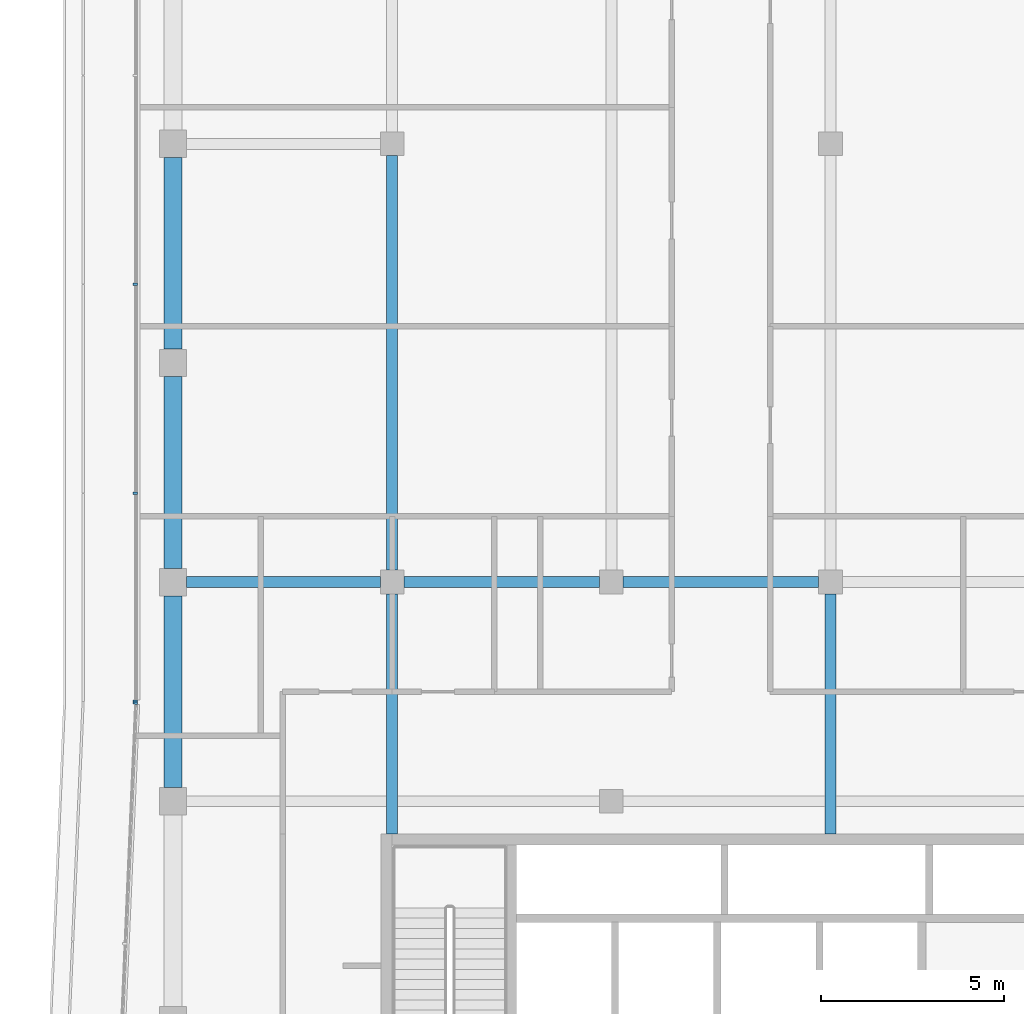
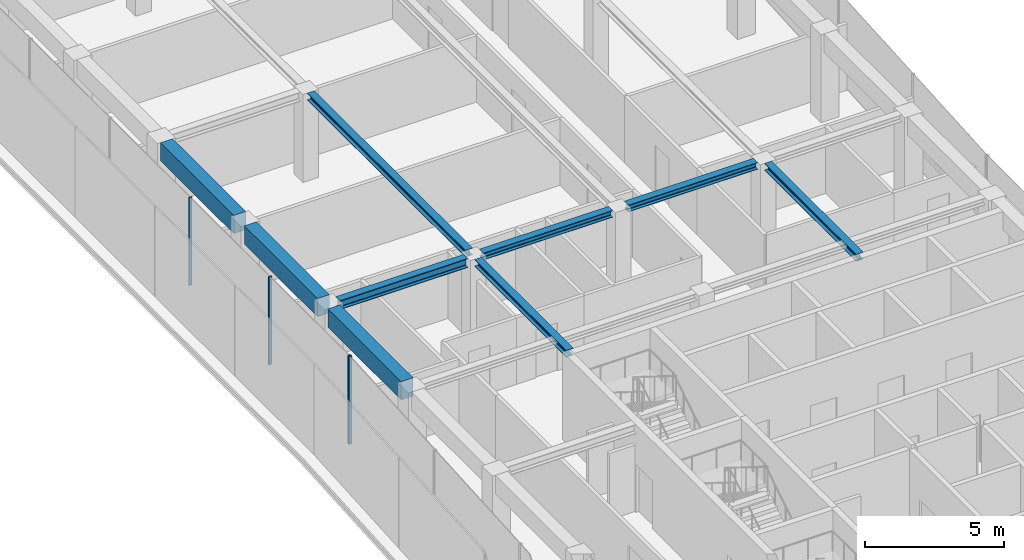
# One storey, part 6 of 19: 9 beams, 4 members, 2 elements without a shape of their own.
"""IFC4 building model written with IfcOpenShell, lengths in metres."""

from ifc_helpers import new_model, si_unit, direction, frame, origin, origin_2d, place, context, subcontext, project, spatial, rectangle, i_section, extrude, material, layer, layer_set, material_profile, profile_set, type_object, element, aggregate, save


model = new_model("IFC4")

# Units and contexts
model_context = context("Model", 3, precision=1e-05, world=origin(), true_north=direction((0.0, 1.0)))
body_context = subcontext(model_context, "Body", "Model", "MODEL_VIEW")
ifc_project = project(units=[si_unit("LENGTHUNIT", "METRE"), si_unit("AREAUNIT", "SQUARE_METRE"), si_unit("VOLUMEUNIT", "CUBIC_METRE"), si_unit("PLANEANGLEUNIT", "RADIAN"), si_unit("MASSUNIT", "GRAM", prefix="KILO")], contexts=[model_context])

# Site, building, storey
site_placement = place(None, origin())
site = spatial("IfcSite", under=ifc_project, at=site_placement, CompositionType="ELEMENT")
building_placement = place(site_placement, origin())
building = spatial("IfcBuilding", under=site, at=building_placement, Name="Welwitschia Terrace Campus", CompositionType="ELEMENT")
storey_placement = place(building_placement, frame((0.0, 0.0, 276.800048828125)))
storey = spatial("IfcBuildingStorey", under=building, at=storey_placement, Name="L61", CompositionType="ELEMENT", Elevation=276.800048828125)

# Beams
ifc_material_1 = material(Name="Steel S355", Category="steel")
ifc_material_profile_1 = material_profile(ifc_material_1, i_section(OverallWidth=0.300048828125, OverallDepth=0.300048828125, WebThickness=0.010986328125, FlangeThickness=0.01904296875, FilletRadius=0.027099609375, at=origin_2d()))
ifc_profile_set_1 = profile_set([ifc_material_profile_1], Name="Steel S355")
beam_type_1 = type_object("IfcBeamType", Name="Interior girder HE 300 B", PredefinedType="BEAM", material=ifc_profile_set_1)
for number, where, z_axis, x_axis, name in (
    (1, (6.325439453125, 32.0, 3.699951171875), (1.0, 0.0, 0.0), (0.0, 1.0, 0.0), "Girder GB6"),
    (2, (12.325439453125, 32.0, 3.699951171875), (1.0, 0.0, 0.0), (0.0, 1.0, 0.0), "Girder GB6"),
):
    element("IfcBeam", number, at=place(storey_placement, frame(where, z_axis=z_axis, x_axis=x_axis)), inside=storey, type_object=beam_type_1, Name=name, PredefinedType="BEAM", context=body_context, shape_type="SweptSolid", body=[
        extrude(i_section(OverallWidth=0.300048828125, OverallDepth=0.300048828125, WebThickness=0.010986328125, FlangeThickness=0.01904296875, FilletRadius=0.027099609375, at=origin_2d()), origin(), (0.0, 0.0, 1.0), 5.34912109375),
    ])
beam_1_placement = place(storey_placement, frame((6.0, 25.10107421875, 3.699951171875), z_axis=(0.0, 1.0, 0.0), x_axis=(-1.0, 0.0, 0.0)))
element("IfcBeam", 3, at=beam_1_placement, inside=storey, type_object=beam_type_1, Name="Girder GB6", PredefinedType="BEAM", context=body_context, shape_type="SweptSolid", body=[
    extrude(i_section(OverallWidth=0.300048828125, OverallDepth=0.300048828125, WebThickness=0.010986328125, FlangeThickness=0.01904296875, FilletRadius=0.027099609375, at=origin_2d()), origin(), (0.0, 0.0, 1.0), 6.573486328125),
])
beam_2_placement = place(storey_placement, frame((6.0, 32.325439453125, 3.699951171875), z_axis=(0.0, 1.0, 0.0), x_axis=(-1.0, 0.0, 0.0)))
element("IfcBeam", 4, at=beam_2_placement, inside=storey, type_object=beam_type_1, Name="Girder GB6", PredefinedType="BEAM", context=body_context, shape_type="SweptSolid", body=[
    extrude(i_section(OverallWidth=0.300048828125, OverallDepth=0.300048828125, WebThickness=0.010986328125, FlangeThickness=0.01904296875, FilletRadius=0.027099609375, at=origin_2d()), origin(), (0.0, 0.0, 1.0), 11.34912109375),
])
beam_3_placement = place(storey_placement, frame((18.0, 25.10107421875, 3.699951171875), z_axis=(0.0, 1.0, 0.0), x_axis=(-1.0, 0.0, 0.0)))
element("IfcBeam", 5, at=beam_3_placement, inside=storey, type_object=beam_type_1, Name="Girder GB6", PredefinedType="BEAM", context=body_context, shape_type="SweptSolid", body=[
    extrude(i_section(OverallWidth=0.300048828125, OverallDepth=0.300048828125, WebThickness=0.010986328125, FlangeThickness=0.01904296875, FilletRadius=0.027099609375, at=origin_2d()), origin(), (0.0, 0.0, 1.0), 6.573486328125),
])

# Curtain wall, member
ifc_material_2 = material(Name="Bronze anodised aluminium", Category="aluminium")
ifc_layer = layer(ifc_material_2, 0.1201171875)
ifc_layer_set = layer_set([ifc_layer], Name="Bronze anodised aluminium")
curtain_wall_type = type_object("IfcCurtainWallType", Name="Curtain wall CW2 tower 6000", PredefinedType="NOTDEFINED", material=ifc_layer_set)
curtain_wall_1_placement = place(storey_placement, origin())
curtain_wall_1 = element("IfcCurtainWall", 6, at=curtain_wall_1_placement, inside=storey, type_object=curtain_wall_type, Name="CW L61.0.0", PredefinedType="NOTDEFINED")
ifc_material_3 = material(Name="Bronze anodised aluminium", Category="aluminium")
ifc_material_profile_2 = material_profile(ifc_material_3, rectangle(XDim=0.1201171875, YDim=0.06005859375, at=origin_2d()))
ifc_profile_set_2 = profile_set([ifc_material_profile_2], Name="Bronze anodised aluminium")
member_type = type_object("IfcMemberType", Name="Mullion 60x120", PredefinedType="MULLION", material=ifc_profile_set_2)
member_1_placement = place(storey_placement, frame((-1.03125, 28.685546875, 0.0), z_axis=(0.0, 0.0, 1.0), x_axis=(0.999048221582, -0.043619387365, 0.0)))
member_1 = element("IfcMember", 7, at=member_1_placement, type_object=member_type, Name="Mullion L61.0.0.0", PredefinedType="MULLION", context=body_context, shape_type="SweptSolid", body=[
    extrude(rectangle(XDim=0.1201171875, YDim=0.06005859375, at=origin_2d()), origin(), (0.0, 0.0, 1.0), 3.849853515625),
])
aggregate(curtain_wall_1, [member_1])

# Curtain wall, members
curtain_wall_2_placement = place(storey_placement, origin())
curtain_wall_2 = element("IfcCurtainWall", 8, at=curtain_wall_2_placement, inside=storey, type_object=curtain_wall_type, Name="CW L61.10.0", PredefinedType="NOTDEFINED")
member_2_placement = place(storey_placement, frame((-1.030029296875, 40.153564453125, 0.0), z_axis=(0.0, 0.0, 1.0), x_axis=(1.0, 0.0, 0.0)))
member_2 = element("IfcMember", 9, at=member_2_placement, type_object=member_type, Name="Mullion L61.10.0.4", PredefinedType="MULLION", context=body_context, shape_type="SweptSolid", body=[
    extrude(rectangle(XDim=0.1201171875, YDim=0.06005859375, at=origin_2d()), origin(), (0.0, 0.0, 1.0), 3.849853515625),
])
member_3_placement = place(storey_placement, frame((-1.030029296875, 34.4345703125, 0.0), z_axis=(0.0, 0.0, 1.0), x_axis=(1.0, 0.0, 0.0)))
member_3 = element("IfcMember", 10, at=member_3_placement, type_object=member_type, Name="Mullion L61.10.0.5", PredefinedType="MULLION", context=body_context, shape_type="SweptSolid", body=[
    extrude(rectangle(XDim=0.1201171875, YDim=0.06005859375, at=origin_2d()), origin(), (0.0, 0.0, 1.0), 3.849853515625),
])
member_4_placement = place(storey_placement, frame((-1.030029296875, 28.745361328125, 0.0), z_axis=(0.0, 0.0, 1.0), x_axis=(1.0, 0.0, 0.0)))
member_4 = element("IfcMember", 11, at=member_4_placement, type_object=member_type, Name="Mullion L61.10.0.6", PredefinedType="MULLION", context=body_context, shape_type="SweptSolid", body=[
    extrude(rectangle(XDim=0.1201171875, YDim=0.06005859375, at=origin_2d()), origin(), (0.0, 0.0, 1.0), 3.849853515625),
])
aggregate(curtain_wall_2, [member_2, member_3, member_4])

# Beams
ifc_material_4 = material(Name="Steel S355", Category="steel")
ifc_material_profile_3 = material_profile(ifc_material_4, i_section(OverallWidth=0.300048828125, OverallDepth=0.39990234375, WebThickness=0.013427734375, FlangeThickness=0.02392578125, FilletRadius=0.027099609375, at=origin_2d()))
ifc_profile_set_3 = profile_set([ifc_material_profile_3], Name="Steel S355")
beam_type_2 = type_object("IfcBeamType", Name="Primary beam HE 400 B", PredefinedType="BEAM", material=ifc_profile_set_3)
beam_4_placement = place(storey_placement, frame((0.37548828125, 32.0, 3.64990234375), z_axis=(1.0, 0.0, 0.0), x_axis=(0.0, 1.0, 0.0)))
element("IfcBeam", 12, at=beam_4_placement, inside=storey, type_object=beam_type_2, Name="Primary beam PB6", PredefinedType="BEAM", context=body_context, shape_type="SweptSolid", body=[
    extrude(i_section(OverallWidth=0.300048828125, OverallDepth=0.39990234375, WebThickness=0.013427734375, FlangeThickness=0.02392578125, FilletRadius=0.027099609375, at=origin_2d()), origin(), (0.0, 0.0, 1.0), 5.299072265625),
])
ifc_material_5 = material(Name="Concrete C50/60", Category="concrete")
ifc_material_profile_4 = material_profile(ifc_material_5, rectangle(XDim=0.5, YDim=0.800048828125, at=origin_2d()))
ifc_profile_set_4 = profile_set([ifc_material_profile_4], Name="Concrete C50/60")
beam_type_3 = type_object("IfcBeamType", Name="Ring spandrel 500x800", PredefinedType="SPANDREL", material=ifc_profile_set_4)
for number, where, z_axis, x_axis, name in (
    (13, (0.0, 43.62451171875, 3.449951171875), (0.0, -1.0, 0.0), (1.0, 0.0, 0.0), "Spandrel SP4"),
    (14, (0.0, 37.62451171875, 3.449951171875), (0.0, -1.0, 0.0), (1.0, 0.0, 0.0), "Spandrel SP4"),
    (15, (0.0, 31.62451171875, 3.449951171875), (0.0, -1.0, 0.0), (1.0, 0.0, 0.0), "Spandrel SP4"),
):
    element("IfcBeam", number, at=place(storey_placement, frame(where, z_axis=z_axis, x_axis=x_axis)), inside=storey, type_object=beam_type_3, Name=name, PredefinedType="SPANDREL", context=body_context, shape_type="SweptSolid", body=[
        extrude(rectangle(XDim=0.5, YDim=0.800048828125, at=origin_2d()), origin(), (0.0, 0.0, 1.0), 5.2490234375),
    ])

save(model, "model.ifc")
